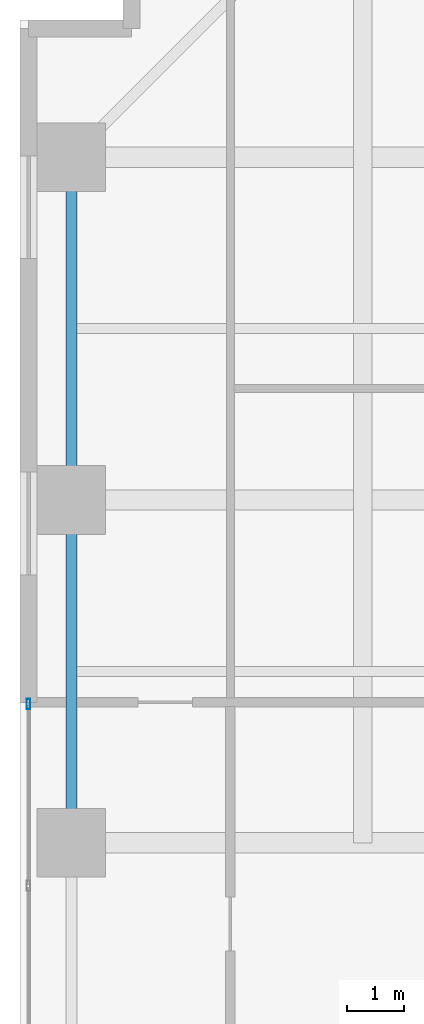
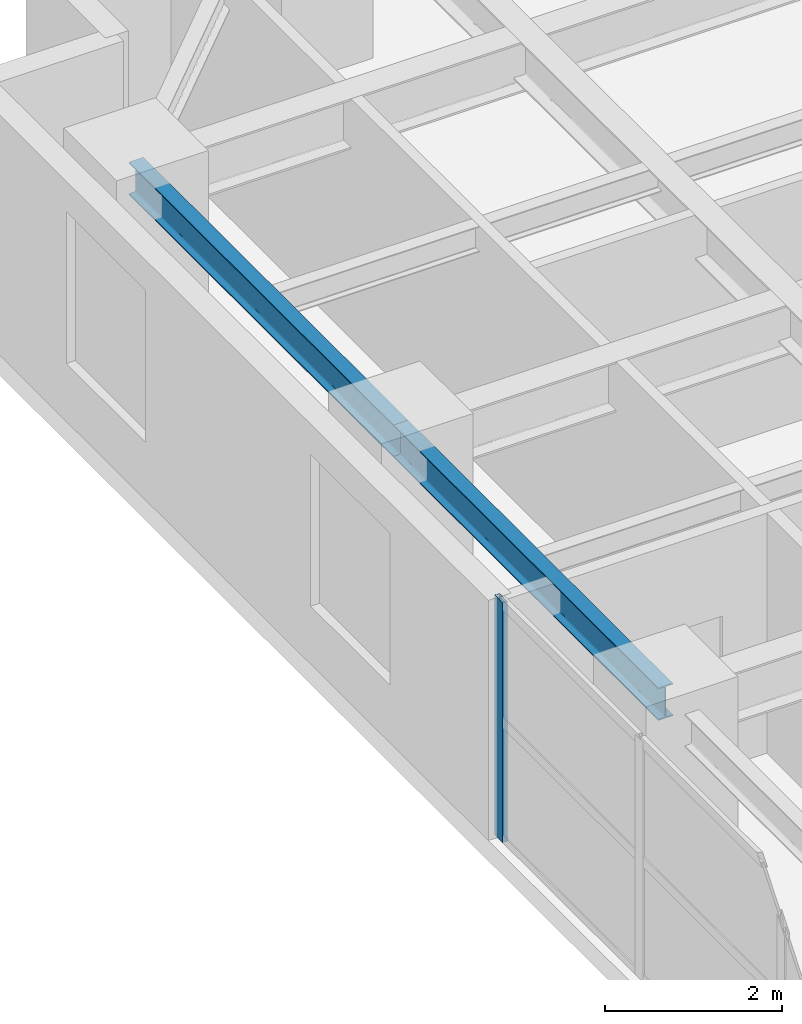
# One storey, part 10 of 24: 2 beams, 1 member, 1 element without a shape of its own.
"""IFC4 building model written with IfcOpenShell, lengths in metres."""

import ifcopenshell
import ifcopenshell.guid

model = None  # the IFC model being written
_history = None  # IfcOwnerHistory: only IFC2X3 demands one
_inside = {}  # id of a spatial element -> (the spatial element, [elements in it])
_under = {}  # id of a project, library or spatial element -> (it, [spatial elements below it])
_declared = {}  # id of a project -> (the project, [libraries it declares])
_typed = {}  # id of a type object -> (the type object, [elements of that type])
_made_of = {}  # id of a material, layer set ... -> (it, [elements and type objects made of it])


def new_model(schema):
    """Start an empty IFC model of exactly this schema.

    Asked for "IFC4X3", IfcOpenShell would pick the latest addendum, in which some entities
    have other attributes; the version numbers below select the first issue.
    IFC2X3 requires an IfcOwnerHistory on every rooted entity: one is made here for all.
    """
    global model, _history
    if schema == "IFC4X3":
        model = ifcopenshell.file(schema_version=(4, 3, 0, 0))
    else:
        model = ifcopenshell.file(schema=schema)
    _inside.clear()
    _under.clear()
    _declared.clear()
    _typed.clear()
    _made_of.clear()
    _history = None
    if model.schema == "IFC2X3":
        org = make("IfcOrganization", Name="unknown")
        user = make(
            "IfcPersonAndOrganization",
            ThePerson=make("IfcPerson", FamilyName="unknown"),
            TheOrganization=org,
        )
        app = make(
            "IfcApplication",
            ApplicationDeveloper=org,
            Version="unknown",
            ApplicationFullName="unknown",
            ApplicationIdentifier="unknown",
        )
        _history = make(
            "IfcOwnerHistory",
            OwningUser=user,
            OwningApplication=app,
            ChangeAction="ADDED",
            CreationDate=0,
        )
    return model


def make(cls, **values):
    """One entity of the class cls with the attributes given. An attribute that is None is left unset."""
    return model.create_entity(
        cls, **{name: value for name, value in values.items() if value is not None}
    )


def rooted(cls, **values):
    """An entity with a GlobalId (a new one), such as an element, a storey or a relation."""
    return make(cls, GlobalId=ifcopenshell.guid.new(), OwnerHistory=_history, **values)


def si_unit(unit_type, name, prefix=None):
    """IfcSIUnit, for example si_unit("LENGTHUNIT", "METRE", prefix="MILLI")."""
    return make("IfcSIUnit", UnitType=unit_type, Prefix=prefix, Name=name)


def assignment(units):
    """IfcUnitAssignment: the units of a project."""
    return None if units is None else make("IfcUnitAssignment", Units=units)


def point(xyz):
    """IfcCartesianPoint."""
    return None if xyz is None else make("IfcCartesianPoint", Coordinates=xyz)


def direction(xyz):
    """IfcDirection."""
    return None if xyz is None else make("IfcDirection", DirectionRatios=xyz)


def frame(location, z_axis=None, x_axis=None):
    """IfcAxis2Placement3D, a coordinate frame: its origin and axes. An axis left out is left unset."""
    return make(
        "IfcAxis2Placement3D",
        Location=point(location),
        Axis=direction(z_axis),
        RefDirection=direction(x_axis),
    )


def frame_2d(location, x_axis=None):
    """IfcAxis2Placement2D, a coordinate frame in the plane: its origin and x axis."""
    return make(
        "IfcAxis2Placement2D", Location=point(location), RefDirection=direction(x_axis)
    )


def origin():
    """The frame at (0, 0, 0) with its axes left unset."""
    return frame((0.0, 0.0, 0.0))


def origin_2d():
    """The frame at (0, 0) in the plane with its x axis left unset."""
    return frame_2d((0.0, 0.0))


def place(relative_to, where):
    """IfcLocalPlacement: puts the frame where relative to a parent placement (None: the world)."""
    return make(
        "IfcLocalPlacement", PlacementRelTo=relative_to, RelativePlacement=where
    )


def context(
    kind, dimensions, precision=None, world=None, true_north=None, identifier=None
):
    """IfcGeometricRepresentationContext, for example the 3D "Model" context."""
    return make(
        "IfcGeometricRepresentationContext",
        ContextIdentifier=identifier,
        ContextType=kind,
        CoordinateSpaceDimension=dimensions,
        Precision=precision,
        WorldCoordinateSystem=world,
        TrueNorth=true_north,
    )


def subcontext(parent, identifier, kind, view, scale=None):
    """IfcGeometricRepresentationSubContext, for example "Body" below "Model"."""
    return make(
        "IfcGeometricRepresentationSubContext",
        ContextIdentifier=identifier,
        ContextType=kind,
        ParentContext=parent,
        TargetScale=scale,
        TargetView=view,
    )


def project(units=None, contexts=None):
    """IfcProject with its units and contexts."""
    return rooted(
        "IfcProject",
        Name="project",
        RepresentationContexts=contexts,
        UnitsInContext=assignment(units),
    )


def spatial(cls, under=None, at=None, **own):
    """A site, building, storey or space (cls), placed at a placement, below another one or the project."""
    s = rooted(cls, ObjectPlacement=at, **own)
    if under is not None:
        _under.setdefault(under.id(), (under, []))[1].append(s)
    return s


def profile(cls, at=None, kind="AREA", **sizes):
    """A parametric profile (cls). Its sizes go by their IFC names, for example OverallWidth=200.0."""
    return make(cls, ProfileType=kind, Position=at, **sizes)


def hollow_rectangle(**sizes):
    """IfcRectangleHollowProfileDef."""
    return profile("IfcRectangleHollowProfileDef", **sizes)


def i_section(**sizes):
    """IfcIShapeProfileDef."""
    return profile("IfcIShapeProfileDef", **sizes)


def extrude(swept, where, along, depth):
    """IfcExtrudedAreaSolid: the profile swept, set in the frame where, extruded along a direction by depth."""
    return make(
        "IfcExtrudedAreaSolid",
        SweptArea=swept,
        Position=where,
        ExtrudedDirection=direction(along),
        Depth=depth,
    )


def shape(context_of_items, identifier, shape_type, items):
    """IfcShapeRepresentation: the items that make up one representation, for example the "Body"."""
    return make(
        "IfcShapeRepresentation",
        ContextOfItems=context_of_items,
        RepresentationIdentifier=identifier,
        RepresentationType=shape_type,
        Items=items,
    )


def source(mapping_origin, context_of_items, identifier, shape_type, items):
    """IfcRepresentationMap: a shape defined once, which mapped items show again and again."""
    return make(
        "IfcRepresentationMap",
        MappingOrigin=mapping_origin,
        MappedRepresentation=shape(context_of_items, identifier, shape_type, items),
    )


def transform(
    local_origin,
    x_axis=None,
    y_axis=None,
    z_axis=None,
    scale=None,
    scale2=None,
    scale3=None,
    uniform=True,
):
    """IfcCartesianTransformationOperator3D, or its non-uniform kind. x_axis, y_axis, z_axis: its Axis1, 2, 3."""
    if uniform:
        return make(
            "IfcCartesianTransformationOperator3D",
            Axis1=direction(x_axis),
            Axis2=direction(y_axis),
            LocalOrigin=point(local_origin),
            Scale=scale,
            Axis3=direction(z_axis),
        )
    return make(
        "IfcCartesianTransformationOperator3DnonUniform",
        Axis1=direction(x_axis),
        Axis2=direction(y_axis),
        LocalOrigin=point(local_origin),
        Scale=scale,
        Axis3=direction(z_axis),
        Scale2=scale2,
        Scale3=scale3,
    )


def mapped(mapping_source, mapping_target):
    """IfcMappedItem: shows the shape of a source again, moved by a transform."""
    return make(
        "IfcMappedItem", MappingSource=mapping_source, MappingTarget=mapping_target
    )


def material(Name=None, Category=None):
    """IfcMaterial."""
    return make("IfcMaterial", Name=Name, Category=Category)


def layer(
    of_material, thickness, ventilated=None, Name=None, Category=None, Priority=None
):
    """IfcMaterialLayer: one layer of a wall or slab, of a material (None: an air gap)."""
    return make(
        "IfcMaterialLayer",
        Material=of_material,
        LayerThickness=thickness,
        IsVentilated=ventilated,
        Name=Name,
        Category=Category,
        Priority=Priority,
    )


def layer_set(layers, Name=None):
    """IfcMaterialLayerSet."""
    return make("IfcMaterialLayerSet", MaterialLayers=layers, LayerSetName=Name)


def material_profile(
    of_material, cross_section, Name=None, Category=None, Priority=None
):
    """IfcMaterialProfile: a cross section and its material."""
    return make(
        "IfcMaterialProfile",
        Name=Name,
        Material=of_material,
        Profile=cross_section,
        Priority=Priority,
        Category=Category,
    )


def profile_set(profiles, Name=None, composite=None):
    """IfcMaterialProfileSet."""
    return make(
        "IfcMaterialProfileSet",
        Name=Name,
        MaterialProfiles=profiles,
        CompositeProfile=composite,
    )


def made_of(thing, what):
    """Note that an element or type object is made of a material, layer set ...; save() writes the relation."""
    if what is not None:
        _made_of.setdefault(what.id(), (what, []))[1].append(thing)
    return thing


def type_object(cls, material=None, **own):
    """A type object (cls), such as IfcWallType, which elements share."""
    return made_of(rooted(cls, **own), material)


def element(
    cls,
    number,
    at=None,
    inside=None,
    cuts=None,
    type_object=None,
    material=None,
    context=None,
    identifier="Body",
    shape_type=None,
    held_by="IfcProductDefinitionShape",
    body=None,
    shapes=None,
    **own,
):
    """One element of the class cls, such as IfcWall. Its Tag is "e" and its number.

    at: its placement. inside: the storey or other place that contains it. cuts: it is an
    opening in that element (IfcRelVoidsElement). A single representation is given by context,
    identifier, shape_type and body (its items); several are given by shapes. held_by: the class
    of the entity that holds the representations. save() writes the other relations.
    """
    e = rooted(cls, Tag="e%d" % number, ObjectPlacement=at, **own)
    if body is not None:
        shapes = [shape(context, identifier, shape_type, body)]
    if shapes is not None:
        e.Representation = make(held_by, Representations=shapes)
    if inside is not None:
        _inside.setdefault(inside.id(), (inside, []))[1].append(e)
    if cuts is not None:
        rooted(
            "IfcRelVoidsElement", RelatingBuildingElement=cuts, RelatedOpeningElement=e
        )
    if type_object is not None:
        _typed.setdefault(type_object.id(), (type_object, []))[1].append(e)
    return made_of(e, material)


def aggregate(whole, parts):
    """IfcRelAggregates: a whole, such as a stair, and the parts it consists of."""
    return rooted("IfcRelAggregates", RelatingObject=whole, RelatedObjects=parts)


def save(model, path):
    """Write the relations noted so far, then the file.

    IfcRelAggregates (storeys below a building ...), IfcRelContainedInSpatialStructure (elements
    in a storey), IfcRelDefinesByType, IfcRelAssociatesMaterial and IfcRelDeclares: one each for
    every whole, place, type object, material and project.
    """
    for whole, parts in _under.values():
        aggregate(whole, parts)
    for where, things in _inside.values():
        rooted(
            "IfcRelContainedInSpatialStructure",
            RelatedElements=things,
            RelatingStructure=where,
        )
    for kind, things in _typed.values():
        rooted("IfcRelDefinesByType", RelatedObjects=things, RelatingType=kind)
    for what, things in _made_of.values():
        rooted("IfcRelAssociatesMaterial", RelatedObjects=things, RelatingMaterial=what)
    for by, libraries in _declared.values():
        rooted("IfcRelDeclares", RelatingContext=by, RelatedDefinitions=libraries)
    model.write(path)


model = new_model("IFC4")

# Units and contexts
model_context = context("Model", 3, precision=1e-05, world=origin(), true_north=direction((0.0, 1.0)))
body_context = subcontext(model_context, "Body", "Model", "MODEL_VIEW")
ifc_project = project(units=[si_unit("LENGTHUNIT", "METRE"), si_unit("AREAUNIT", "SQUARE_METRE"), si_unit("VOLUMEUNIT", "CUBIC_METRE"), si_unit("PLANEANGLEUNIT", "RADIAN"), si_unit("MASSUNIT", "GRAM", prefix="KILO")], contexts=[model_context])

# Site, building, storey
site_placement = place(None, origin())
site = spatial("IfcSite", under=ifc_project, at=site_placement, CompositionType="ELEMENT")
building_placement = place(site_placement, origin())
building = spatial("IfcBuilding", under=site, at=building_placement, Name="Khoralis Quay Care Tower", CompositionType="ELEMENT")
storey_placement = place(building_placement, frame((0.0, 0.0, 62.10009765625)))
storey = spatial("IfcBuildingStorey", under=building, at=storey_placement, Name="L16", CompositionType="ELEMENT", Elevation=62.10009765625)

# Beams
ifc_material_1 = material(Name="Steel S355", Category="steel")
ifc_material_profile_1 = material_profile(ifc_material_1, i_section(OverallWidth=0.18994140625, OverallDepth=0.449951171875, WebThickness=0.009521484375, FlangeThickness=0.0146484375, FilletRadius=0.02099609375, at=origin_2d()), Name="Steel S355")
ifc_profile_set_1 = profile_set([ifc_material_profile_1], Name="Steel S355")
beam_type = type_object("IfcBeamType", Name="BM-IPE450", PredefinedType="SPANDREL", material=ifc_profile_set_1)
shared_shape_1 = source(origin(), body_context, "Body", "SweptSolid", [
    extrude(i_section(OverallWidth=0.18994140625, OverallDepth=0.449951171875, WebThickness=0.009521484375, FlangeThickness=0.0146484375, FilletRadius=0.02099609375, at=origin_2d()), origin(), (0.0, 0.0, 1.0), 6.0),
])
for number, where, z_axis, x_axis, name in (
    (1, (0.89990234375, 30.0, 3.094970703125), (0.0, 1.0, 0.0), (-1.0, 0.0, 0.0), "BM-TSP-L16-17"),
    (2, (0.89990234375, 36.0, 3.094970703125), (0.0, 1.0, 0.0), (-1.0, 0.0, 0.0), "BM-TSP-L16-18"),
):
    element("IfcBeam", number, at=place(storey_placement, frame(where, z_axis=z_axis, x_axis=x_axis)), inside=storey, type_object=beam_type, Name=name, PredefinedType="SPANDREL", context=body_context, shape_type="MappedRepresentation", body=[
        mapped(shared_shape_1, transform((0.0, 0.0, 0.0), scale=1.0)),
    ])

# Curtain wall, member
ifc_material_2 = material(Name="Pale anodised aluminium", Category="aluminium")
ifc_layer = layer(ifc_material_2, 0.179931640625)
ifc_layer_set = layer_set([ifc_layer], Name="Pale anodised aluminium")
curtain_wall_type = type_object("IfcCurtainWallType", Name="CW-SYS-Z1", PredefinedType="NOTDEFINED", material=ifc_layer_set)
curtain_wall_placement = place(storey_placement, origin())
curtain_wall = element("IfcCurtainWall", 3, at=curtain_wall_placement, inside=storey, type_object=curtain_wall_type, Name="L16 Unitised Curtain Wall CW-L16-P1-E15", PredefinedType="NOTDEFINED")
ifc_material_profile_2 = material_profile(ifc_material_2, hollow_rectangle(XDim=0.06494140625, YDim=0.179931640625, WallThickness=0.00390625, at=origin_2d()), Name="Pale anodised aluminium")
ifc_profile_set_2 = profile_set([ifc_material_profile_2], Name="Pale anodised aluminium")
member_type = type_object("IfcMemberType", Name="CW-MUL-180", PredefinedType="MULLION", material=ifc_profile_set_2)
shared_shape_2 = source(origin(), body_context, "Body", "SweptSolid", [
    extrude(hollow_rectangle(XDim=0.06494140625, YDim=0.179931640625, WallThickness=0.00390625, at=origin_2d()), origin(), (0.0, 0.0, 1.0), 3.31982421875),
])
member_placement = place(storey_placement, frame((0.14990234375, 32.429931640625, 0.0), z_axis=(0.0, 0.0, 1.0), x_axis=(1.0, 0.0, 0.0)))
member = element("IfcMember", 4, at=member_placement, type_object=member_type, Name="CW1 mullion 1", PredefinedType="MULLION", context=body_context, shape_type="MappedRepresentation", body=[
    mapped(shared_shape_2, transform((0.0, 0.0, 0.0), scale=1.0)),
])
aggregate(curtain_wall, [member])

save(model, "model.ifc")
